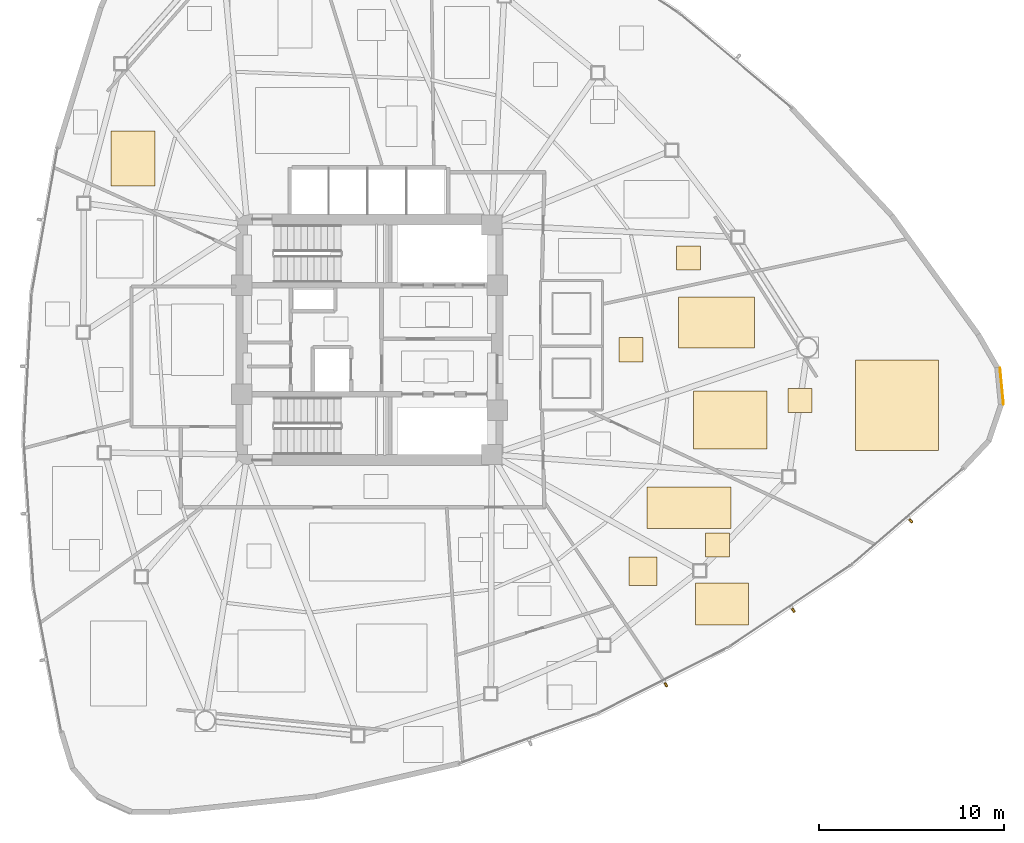
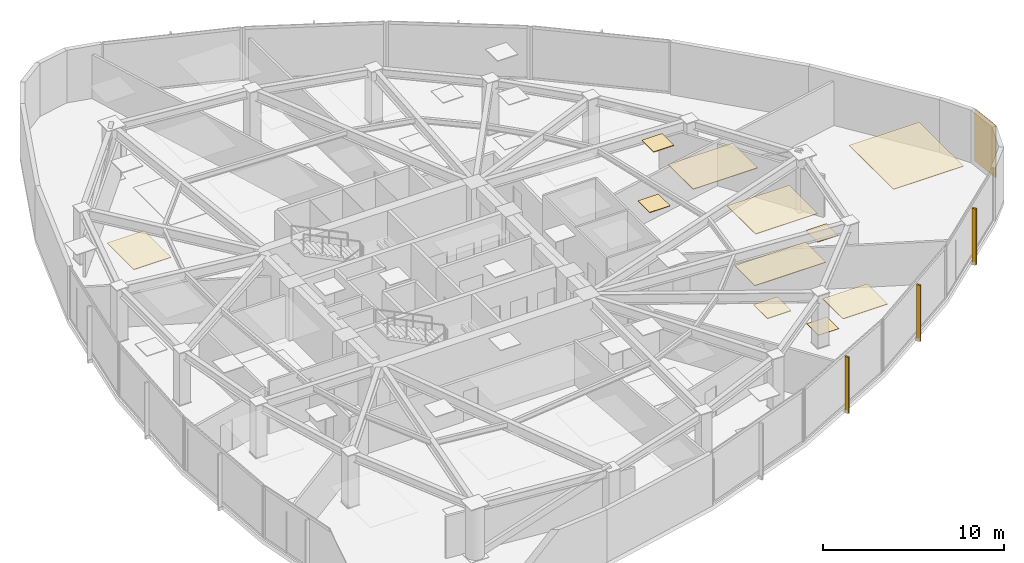
# One storey, part 16 of 17: 12 coverings, 3 shading devices.
"""IFC4 building model written with IfcOpenShell, lengths in metres."""

from ifc_helpers import new_model, si_unit, direction, frame, origin, origin_2d, place, context, subcontext, project, spatial, polyline, rectangle, outline, extrude, source, transform, mapped, material, layer, layer_set, type_object, type_shapes, element, save


model = new_model("IFC4")

# Units and contexts
model_context = context("Model", 3, precision=1e-05, world=origin(), true_north=direction((0.0, 1.0)))
body_context = subcontext(model_context, "Body", "Model", "MODEL_VIEW")
ifc_project = project(units=[si_unit("LENGTHUNIT", "METRE"), si_unit("AREAUNIT", "SQUARE_METRE"), si_unit("VOLUMEUNIT", "CUBIC_METRE"), si_unit("PLANEANGLEUNIT", "RADIAN"), si_unit("MASSUNIT", "GRAM", prefix="KILO")], contexts=[model_context])

# Site, building, storey
site_placement = place(None, origin())
site = spatial("IfcSite", under=ifc_project, at=site_placement, CompositionType="ELEMENT")
building_placement = place(site_placement, origin())
building = spatial("IfcBuilding", under=site, at=building_placement, Name="Tavelor Broadcast Tower", CompositionType="ELEMENT")
storey_placement = place(building_placement, frame((0.0, 0.0, 131.0)))
storey = spatial("IfcBuildingStorey", under=building, at=storey_placement, Name="L30", CompositionType="ELEMENT", Elevation=131.0)

# Coverings
ifc_material_1 = material(Name="Copper-Bronze Anodized Aluminium", Category="aluminium")
ifc_layer_1 = layer(ifc_material_1, 0.050048828125)
ifc_layer_set_1 = layer_set([ifc_layer_1], Name="Copper-Bronze Anodized Aluminium")
covering_type_1 = type_object("IfcCoveringType", Name="Champagne-Bronze Corner Pier Metal Cladding 50 mm", PredefinedType="CLADDING", material=ifc_layer_set_1)
covering_1_placement = place(storey_placement, frame((84.15380859375, 42.4951171875, 0.02001953125), z_axis=(0.0, 0.0, 1.0), x_axis=(-0.096714362966, 0.995312178161, 0.0)))
element("IfcCovering", 1, at=covering_1_placement, inside=storey, type_object=covering_type_1, Name="L30 Champagne-Bronze Corner Cladding 23", PredefinedType="CLADDING", context=body_context, shape_type="SweptSolid", body=[
    extrude(rectangle(XDim=1.993896484375, YDim=0.050048828125, at=origin_2d()), origin(), (0.0, 0.0, 1.0), 3.510009765625),
])
ifc_material_2 = material(Name="Acoustic Nylon Carpet Tile")
ifc_layer_2 = layer(ifc_material_2, 0.02001953125)
ifc_layer_set_2 = layer_set([ifc_layer_2], Name="Acoustic Nylon Carpet Tile")
covering_type_2 = type_object("IfcCoveringType", Name="Heavy-Duty Acoustic Broadcast Carpet Tile 20 mm", PredefinedType="FLOORING", material=ifc_layer_set_2)
covering_2_placement = place(storey_placement, origin())
element("IfcCovering", 2, at=covering_2_placement, inside=storey, type_object=covering_type_2, Name="L30 Broadcast Floor Finish 0424", PredefinedType="FLOORING", context=body_context, shape_type="SweptSolid", body=[
    extrude(outline(polyline([(68.153564453125, 33.25927734375), (69.45361328125, 33.25927734375), (69.45361328125, 34.55908203125), (68.153564453125, 34.55908203125), (68.153564453125, 33.25927734375)])), origin(), (0.0, 0.0, 1.0), 0.02001953125),
])
covering_3_placement = place(storey_placement, origin())
element("IfcCovering", 3, at=covering_3_placement, inside=storey, type_object=covering_type_2, Name="L30 Broadcast Floor Finish 0431", PredefinedType="FLOORING", context=body_context, shape_type="SweptSolid", body=[
    extrude(outline(polyline([(72.60595703125, 41.059814453125), (73.906005859375, 41.059814453125), (73.906005859375, 42.35986328125), (72.60595703125, 42.35986328125), (72.60595703125, 41.059814453125)])), origin(), (0.0, 0.0, 1.0), 0.02001953125),
])
ifc_material_3 = material(Name="Acoustic Mineral Fibre Tile")
ifc_layer_3 = layer(ifc_material_3, 0.0400390625)
ifc_layer_set_3 = layer_set([ifc_layer_3], Name="Acoustic Mineral Fibre Tile")
covering_type_3 = type_object("IfcCoveringType", Name="Suspended Acoustic Mineral-Fibre Office Ceiling 40 mm", PredefinedType="CEILING", material=ifc_layer_set_3)
covering_4_placement = place(storey_placement, frame((0.0, 0.0, 3.510009765625)))
element("IfcCovering", 4, at=covering_4_placement, inside=storey, type_object=covering_type_3, Name="L30 Suspended Acoustic Ceiling 1197", PredefinedType="CEILING", context=body_context, shape_type="SweptSolid", body=[
    extrude(outline(polyline([(64.9931640625, 34.799072265625), (69.522705078125, 34.799072265625), (69.522705078125, 37.038818359375), (64.9931640625, 37.038818359375), (64.9931640625, 34.799072265625)])), origin(), (0.0, 0.0, 1.0), 0.0400390625),
])
covering_5_placement = place(storey_placement, frame((0.0, 0.0, 3.510009765625)))
element("IfcCovering", 5, at=covering_5_placement, inside=storey, type_object=covering_type_3, Name="L30 Suspended Acoustic Ceiling 1198", PredefinedType="CEILING", context=body_context, shape_type="SweptSolid", body=[
    extrude(outline(polyline([(67.602294921875, 29.59912109375), (70.472412109375, 29.59912109375), (70.472412109375, 31.851806640625), (67.602294921875, 31.851806640625), (67.602294921875, 29.59912109375)])), origin(), (0.0, 0.0, 1.0), 0.0400390625),
])
covering_6_placement = place(storey_placement, frame((0.0, 0.0, 3.510009765625)))
element("IfcCovering", 6, at=covering_6_placement, inside=storey, type_object=covering_type_3, Name="L30 Suspended Acoustic Ceiling 1199", PredefinedType="CEILING", context=body_context, shape_type="SweptSolid", body=[
    extrude(outline(polyline([(64.00927734375, 31.712890625), (65.523681640625, 31.712890625), (65.523681640625, 33.254150390625), (64.00927734375, 33.254150390625), (64.00927734375, 31.712890625)])), origin(), (0.0, 0.0, 1.0), 0.0400390625),
])
covering_7_placement = place(storey_placement, frame((0.0, 0.0, 3.510009765625)))
element("IfcCovering", 7, at=covering_7_placement, inside=storey, type_object=covering_type_3, Name="L30 Suspended Acoustic Ceiling 1213", PredefinedType="CEILING", context=body_context, shape_type="SweptSolid", body=[
    extrude(outline(polyline([(36.046875, 53.302490234375), (38.423583984375, 53.302490234375), (38.423583984375, 56.264404296875), (36.046875, 56.264404296875), (36.046875, 53.302490234375)])), origin(), (0.0, 0.0, 1.0), 0.0400390625),
])
covering_8_placement = place(storey_placement, frame((0.0, 0.0, 3.510009765625)))
element("IfcCovering", 8, at=covering_8_placement, inside=storey, type_object=covering_type_3, Name="L30 Suspended Acoustic Ceiling 1225", PredefinedType="CEILING", context=body_context, shape_type="SweptSolid", body=[
    extrude(outline(polyline([(66.59033203125, 48.755615234375), (67.890380859375, 48.755615234375), (67.890380859375, 50.0556640625), (66.59033203125, 50.0556640625), (66.59033203125, 48.755615234375)])), origin(), (0.0, 0.0, 1.0), 0.0400390625),
])
covering_9_placement = place(storey_placement, frame((0.0, 0.0, 3.510009765625)))
element("IfcCovering", 9, at=covering_9_placement, inside=storey, type_object=covering_type_3, Name="L30 Suspended Acoustic Ceiling 1229", PredefinedType="CEILING", context=body_context, shape_type="SweptSolid", body=[
    extrude(outline(polyline([(63.486083984375, 43.810791015625), (64.7861328125, 43.810791015625), (64.7861328125, 45.11083984375), (63.486083984375, 45.11083984375), (63.486083984375, 43.810791015625)])), origin(), (0.0, 0.0, 1.0), 0.0400390625),
])
covering_10_placement = place(storey_placement, frame((0.0, 0.0, 3.510009765625)))
element("IfcCovering", 10, at=covering_10_placement, inside=storey, type_object=covering_type_3, Name="L30 Suspended Acoustic Ceiling 1230", PredefinedType="CEILING", context=body_context, shape_type="SweptSolid", body=[
    extrude(outline(polyline([(66.683349609375, 44.5556640625), (70.802978515625, 44.5556640625), (70.802978515625, 47.3095703125), (66.683349609375, 47.3095703125), (66.683349609375, 44.5556640625)])), origin(), (0.0, 0.0, 1.0), 0.0400390625),
])
covering_11_placement = place(storey_placement, frame((0.0, 0.0, 3.510009765625)))
element("IfcCovering", 11, at=covering_11_placement, inside=storey, type_object=covering_type_3, Name="L30 Suspended Acoustic Ceiling 1231", PredefinedType="CEILING", context=body_context, shape_type="SweptSolid", body=[
    extrude(outline(polyline([(67.5087890625, 39.09228515625), (71.475341796875, 39.09228515625), (71.475341796875, 42.231689453125), (67.5087890625, 42.231689453125), (67.5087890625, 39.09228515625)])), origin(), (0.0, 0.0, 1.0), 0.0400390625),
])
covering_12_placement = place(storey_placement, frame((0.0, 0.0, 3.510009765625)))
element("IfcCovering", 12, at=covering_12_placement, inside=storey, type_object=covering_type_3, Name="L30 Suspended Acoustic Ceiling 1232", PredefinedType="CEILING", context=body_context, shape_type="SweptSolid", body=[
    extrude(outline(polyline([(76.2626953125, 39.01171875), (80.73779296875, 39.01171875), (80.73779296875, 43.906005859375), (76.2626953125, 43.906005859375), (76.2626953125, 39.01171875)])), origin(), (0.0, 0.0, 1.0), 0.0400390625),
])

# Shading devices
ifc_material_4 = material(Name="Kiln-Fired Glazed Terracotta", Category="masonry")
shading_device_type = type_object("IfcShadingDeviceType", Name="Extruded Terracotta Baguette Sun-Screen 110x240", PredefinedType="JALOUSIE", material=ifc_material_4)
shared_shape = source(origin(), body_context, "Body", "SweptSolid", [
    extrude(rectangle(XDim=0.110107421875, YDim=0.239990234375, at=origin_2d()), origin(), (0.0, 0.0, 1.0), 3.7900390625),
])
type_shapes(shading_device_type, [shared_shape])
for number, where, z_axis, x_axis, name in (
    (13, (66.013671875, 26.35400390625, -0.260009765625), (0.0, 0.0, 1.0), (0.892034301609, 0.45196770322, 0.0), "L30 Terracotta Baguette Fin 294"),
    (14, (72.8955078125, 30.383544921875, -0.260009765625), (0.0, 0.0, 1.0), (0.830693079675, 0.556730641675, 0.0), "L30 Terracotta Baguette Fin 295"),
    (15, (79.2392578125, 35.21630859375, -0.260009765625), (0.0, 0.0, 1.0), (0.757223096347, 0.653156323064, 0.0), "L30 Terracotta Baguette Fin 296"),
):
    element("IfcShadingDevice", number, at=place(storey_placement, frame(where, z_axis=z_axis, x_axis=x_axis)), inside=storey, type_object=shading_device_type, Name=name, PredefinedType="JALOUSIE", context=body_context, shape_type="MappedRepresentation", body=[
        mapped(shared_shape, transform((0.0, 0.0, 0.0), scale=1.0)),
    ])

save(model, "model.ifc")
